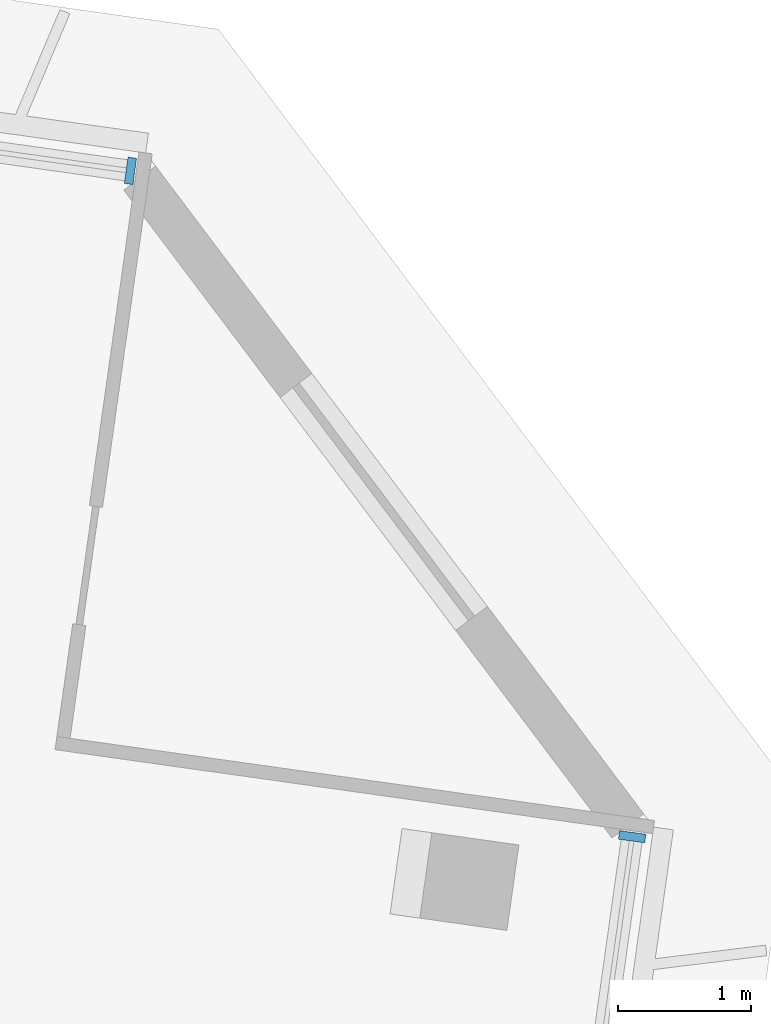
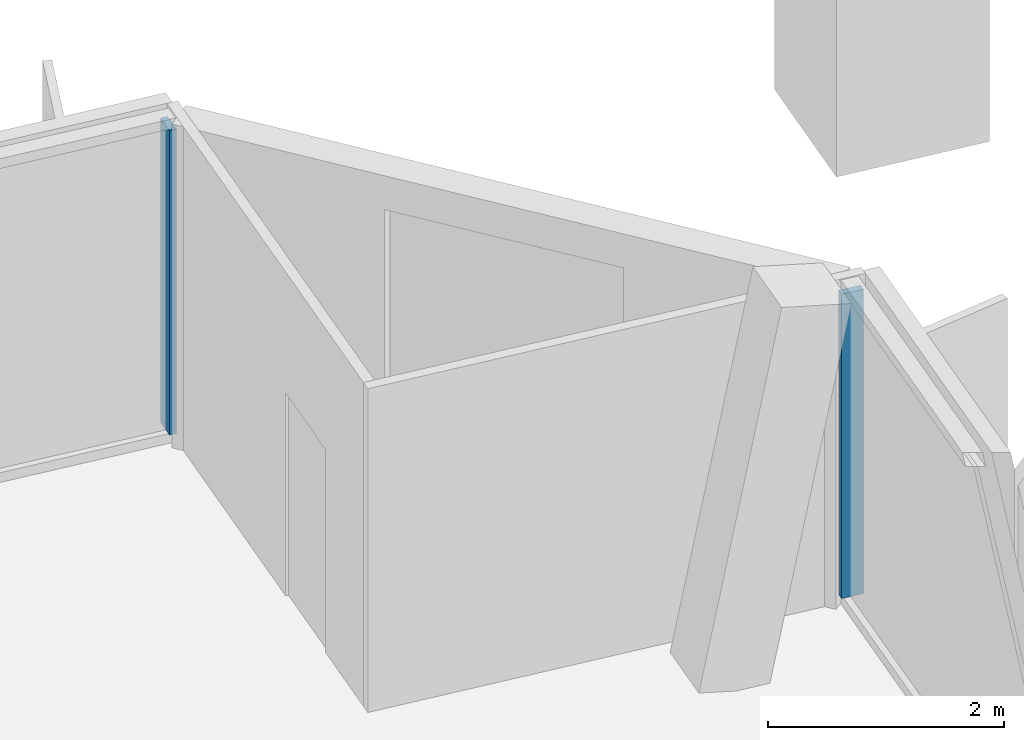
# One storey, part 9 of 26: 2 members, 2 elements without a shape of their own.
"""IFC4 building model written with IfcOpenShell, lengths in metres."""

from ifc_helpers import new_model, si_unit, direction, frame, origin, origin_2d, place, context, subcontext, project, spatial, rectangle, extrude, material, material_profile, profile_set, type_object, element, aggregate, save


model = new_model("IFC4")

# Units and contexts
model_context = context("Model", 3, precision=1e-05, world=origin(), true_north=direction((0.0, 1.0)))
body_context = subcontext(model_context, "Body", "Model", "MODEL_VIEW")
ifc_project = project(units=[si_unit("LENGTHUNIT", "METRE"), si_unit("AREAUNIT", "SQUARE_METRE"), si_unit("VOLUMEUNIT", "CUBIC_METRE"), si_unit("PLANEANGLEUNIT", "RADIAN"), si_unit("MASSUNIT", "GRAM", prefix="KILO")], contexts=[model_context])

# Site, building, storey
site_placement = place(None, origin())
site = spatial("IfcSite", under=ifc_project, at=site_placement, CompositionType="ELEMENT")
building_placement = place(site_placement, origin())
building = spatial("IfcBuilding", under=site, at=building_placement, Name="Mirante Cascada Hotel Towers", CompositionType="ELEMENT")
storey_placement = place(building_placement, frame((0.0, 0.0, 235.6)))
storey = spatial("IfcBuildingStorey", under=building, at=storey_placement, Name="L56", CompositionType="ELEMENT", Elevation=235.6)

# Curtain wall, member
ifc_material_1 = material(Name="Aluminium mullion and transom frame with clear laminated glass", Category="aluminium")
curtain_wall_type_1 = type_object("IfcCurtainWallType", Name="Ribbon curtain wall ECW1", PredefinedType="NOTDEFINED", material=ifc_material_1)
curtain_wall_1_placement = place(storey_placement, origin())
curtain_wall_1 = element("IfcCurtainWall", 1, at=curtain_wall_1_placement, inside=storey, type_object=curtain_wall_type_1, Name="Front ribbon wall T1 L56", PredefinedType="NOTDEFINED")
ifc_material_2 = material(Name="Anodised aluminium extrusion", Category="aluminium")
ifc_material_profile_1 = material_profile(ifc_material_2, rectangle(XDim=0.2, YDim=0.065, at=origin_2d()), Name="ECW1 MULLION 65x200")
ifc_profile_set_1 = profile_set([ifc_material_profile_1], Name="Anodised aluminium extrusion")
member_type_1 = type_object("IfcMemberType", Name="ECW1 mullion 65x200", PredefinedType="MULLION", material=ifc_profile_set_1)
member_1_placement = place(storey_placement, frame((-23.5899, 16.1344, 0.1), z_axis=(0.0, 0.0, 1.0), x_axis=(0.1391731, 0.9902681, 0.0)))
member_1 = element("IfcMember", 2, at=member_1_placement, type_object=member_type_1, Name="ECW1 mullion 9", PredefinedType="MULLION", context=body_context, shape_type="SweptSolid", body=[
    extrude(rectangle(XDim=0.2, YDim=0.065, at=origin_2d()), origin(), (0.0, 0.0, 1.0), 3.15),
])
aggregate(curtain_wall_1, [member_1])

ifc_material_3 = material(Name="Aluminium mullion and transom frame with clear laminated glass", Category="aluminium")
curtain_wall_type_2 = type_object("IfcCurtainWallType", Name="End ribbon curtain wall ECW2", PredefinedType="NOTDEFINED", material=ifc_material_3)
curtain_wall_2_placement = place(storey_placement, origin())
curtain_wall_2 = element("IfcCurtainWall", 3, at=curtain_wall_2_placement, inside=storey, type_object=curtain_wall_type_2, Name="Inner end wall T1 L56", PredefinedType="NOTDEFINED")
ifc_material_4 = material(Name="Anodised aluminium extrusion", Category="aluminium")
ifc_material_profile_2 = material_profile(ifc_material_4, rectangle(XDim=0.2, YDim=0.065, at=origin_2d()), Name="ECW2 MULLION 65x200")
ifc_profile_set_2 = profile_set([ifc_material_profile_2], Name="Anodised aluminium extrusion")
member_type_2 = type_object("IfcMemberType", Name="ECW2 mullion 65x200", PredefinedType="MULLION", material=ifc_profile_set_2)
member_2_placement = place(storey_placement, frame((-19.8071, 11.1144, 0.1), z_axis=(0.0, 0.0, 1.0), x_axis=(0.9902681, -0.1391731, 0.0)))
member_2 = element("IfcMember", 4, at=member_2_placement, type_object=member_type_2, Name="ECW2 mullion 1", PredefinedType="MULLION", context=body_context, shape_type="SweptSolid", body=[
    extrude(rectangle(XDim=0.2, YDim=0.065, at=origin_2d()), origin(), (0.0, 0.0, 1.0), 3.15),
])
aggregate(curtain_wall_2, [member_2])

save(model, "model.ifc")
